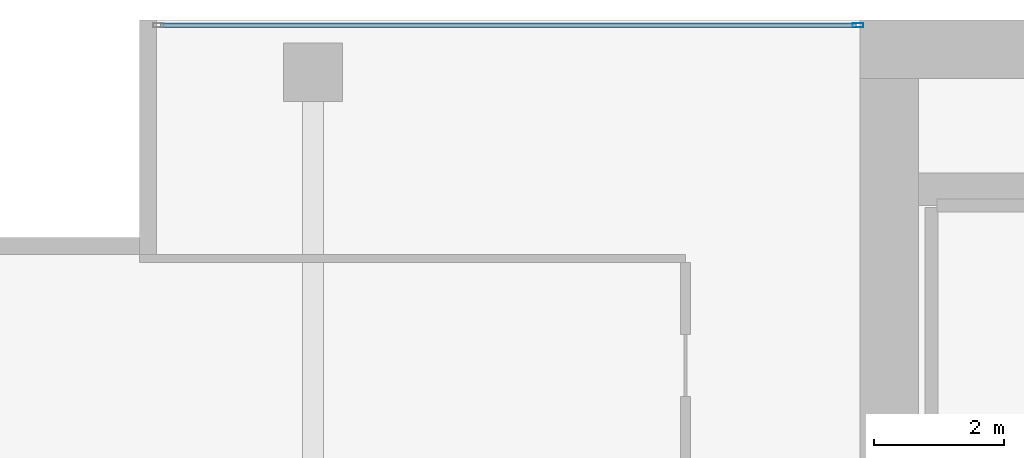
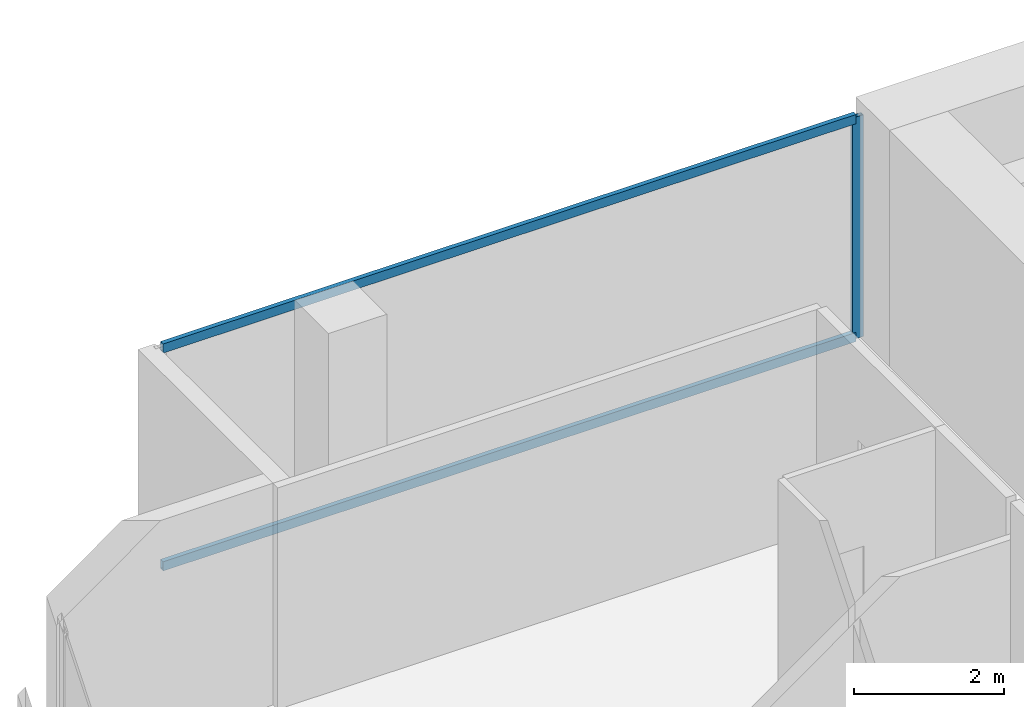
# One storey, part 26 of 41: 3 members, 1 element without a shape of its own.
"""IFC4 building model written with IfcOpenShell, lengths in metres."""

from ifc_helpers import new_model, si_unit, direction, frame, origin, origin_2d, place, context, subcontext, project, spatial, hollow_rectangle, extrude, material, layer, layer_set, material_profile, profile_set, type_object, element, aggregate, save


model = new_model("IFC4")

# Units and contexts
model_context = context("Model", 3, precision=1e-05, world=origin(), true_north=direction((0.0, 1.0)))
body_context = subcontext(model_context, "Body", "Model", "MODEL_VIEW")
ifc_project = project(units=[si_unit("LENGTHUNIT", "METRE"), si_unit("AREAUNIT", "SQUARE_METRE"), si_unit("VOLUMEUNIT", "CUBIC_METRE"), si_unit("PLANEANGLEUNIT", "RADIAN"), si_unit("MASSUNIT", "GRAM", prefix="KILO")], contexts=[model_context])

# Site, building, storey
site_placement = place(None, origin())
site = spatial("IfcSite", under=ifc_project, at=site_placement, CompositionType="ELEMENT")
building_placement = place(site_placement, origin())
building = spatial("IfcBuilding", under=site, at=building_placement, Name="Maruvema Waterfront Hotel and Observation Tower", CompositionType="ELEMENT")
storey_placement = place(building_placement, frame((0.0, 0.0, 84.699951171875)))
storey = spatial("IfcBuildingStorey", under=building, at=storey_placement, Name="L20", CompositionType="ELEMENT", Elevation=84.699951171875)

# Curtain wall, members
ifc_material_1 = material(Name="Anodised bronze aluminium and solar-control low-E IGU", Category="aluminium")
ifc_layer = layer(ifc_material_1, 0.159912109375, Name="Zone 1 Bronze Inner Thermal Curtain Wall System CW-02")
ifc_layer_set = layer_set([ifc_layer], Name="Anodised bronze aluminium and solar-control low-E IGU")
curtain_wall_type = type_object("IfcCurtainWallType", Name="Zone 1 Bronze Inner Thermal Curtain Wall System CW-02", PredefinedType="USERDEFINED", material=ifc_layer_set)
curtain_wall_placement = place(storey_placement, origin())
curtain_wall = element("IfcCurtainWall", 1, at=curtain_wall_placement, inside=storey, type_object=curtain_wall_type, Name="L20 Curtain Wall CW-L20-NW", ObjectType="UNITISED CURTAIN WALL", PredefinedType="USERDEFINED")
ifc_material_2 = material(Name="Anodised architectural bronze aluminium", Category="aluminium")
ifc_material_profile_1 = material_profile(ifc_material_2, hollow_rectangle(XDim=0.070068359375, YDim=0.14990234375, WallThickness=0.00390625, at=origin_2d()), Name="ALU-T70x150")
ifc_profile_set_1 = profile_set([ifc_material_profile_1], Name="Anodised architectural bronze aluminium")
member_type_1 = type_object("IfcMemberType", Name="Curtain Wall Horizontal Transom ALU-T70x150", PredefinedType="USERDEFINED", material=ifc_profile_set_1)
member_1_placement = place(storey_placement, frame((25.139892578125, 53.919921875, 0.030029296875), z_axis=(-1.0, 0.0, 0.0), x_axis=(0.0, -1.0, 0.0)))
member_1 = element("IfcMember", 2, at=member_1_placement, type_object=member_type_1, Name="CW-02 transom 1.1", ObjectType="TRANSOM", PredefinedType="USERDEFINED", context=body_context, shape_type="SweptSolid", body=[
    extrude(hollow_rectangle(XDim=0.070068359375, YDim=0.14990234375, WallThickness=0.00390625, at=origin_2d()), origin(), (0.0, 0.0, 1.0), 10.679931640625),
])
member_2_placement = place(storey_placement, frame((25.139892578125, 53.919921875, 3.580078125), z_axis=(-1.0, 0.0, 0.0), x_axis=(0.0, -1.0, 0.0)))
member_2 = element("IfcMember", 3, at=member_2_placement, type_object=member_type_1, Name="CW-02 transom 1.2", ObjectType="TRANSOM", PredefinedType="USERDEFINED", context=body_context, shape_type="SweptSolid", body=[
    extrude(hollow_rectangle(XDim=0.070068359375, YDim=0.14990234375, WallThickness=0.00390625, at=origin_2d()), origin(), (0.0, 0.0, 1.0), 10.679931640625),
])
ifc_material_3 = material(Name="Anodised architectural bronze aluminium", Category="aluminium")
ifc_material_profile_2 = material_profile(ifc_material_3, hollow_rectangle(XDim=0.06494140625, YDim=0.1650390625, WallThickness=0.00390625, at=origin_2d()), Name="ALU-M65x165")
ifc_profile_set_2 = profile_set([ifc_material_profile_2], Name="Anodised architectural bronze aluminium")
member_type_2 = type_object("IfcMemberType", Name="Curtain Wall Primary Mullion ALU-M65x165", PredefinedType="MULLION", material=ifc_profile_set_2)
member_3_placement = place(storey_placement, frame((25.169921875, 53.919921875, 0.0), z_axis=(0.0, 0.0, 1.0), x_axis=(0.0, -1.0, 0.0)))
member_3 = element("IfcMember", 4, at=member_3_placement, type_object=member_type_2, Name="CW-02 mullion 1", PredefinedType="MULLION", context=body_context, shape_type="SweptSolid", body=[
    extrude(hollow_rectangle(XDim=0.06494140625, YDim=0.1650390625, WallThickness=0.00390625, at=origin_2d()), origin(), (0.0, 0.0, 1.0), 3.610107421875),
])
aggregate(curtain_wall, [member_3, member_1, member_2])

save(model, "model.ifc")
